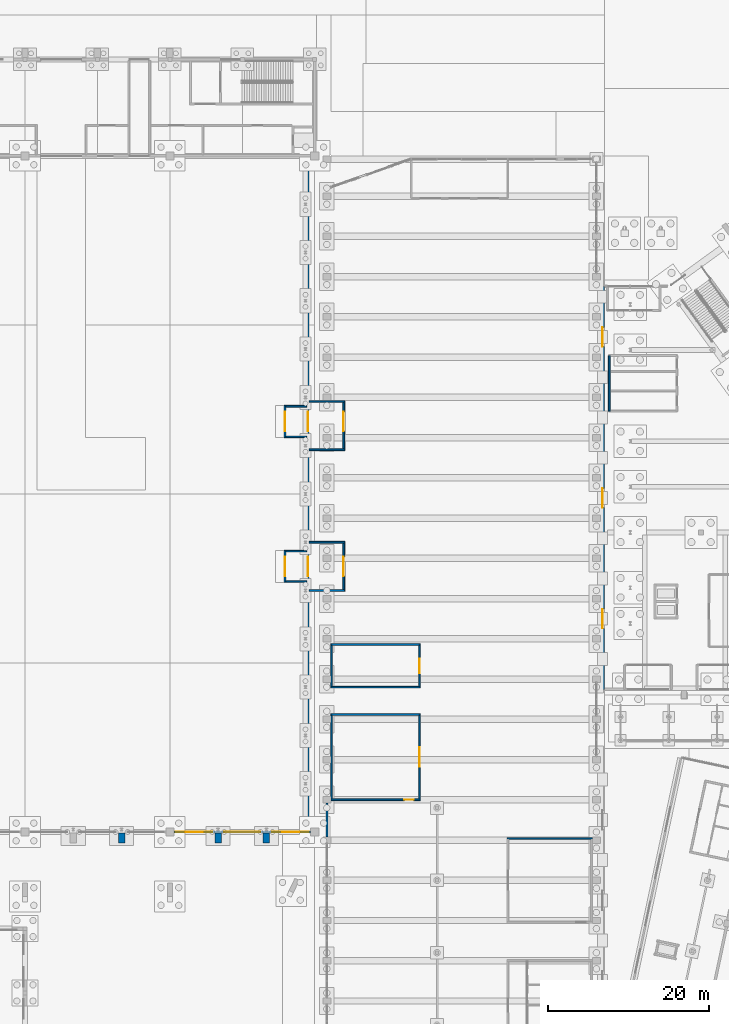
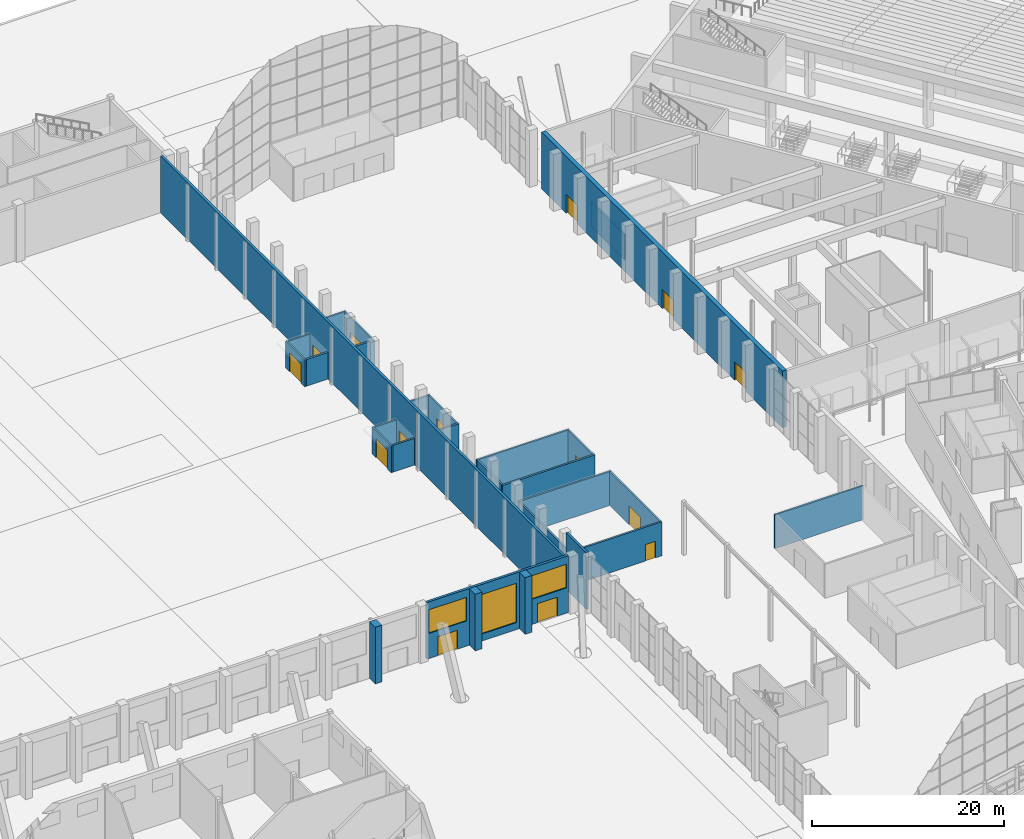
# One storey, part 181 of 239: 29 walls, 14 doors, 3 windows, 17 openings.
"""IFC4 building model written with IfcOpenShell, lengths in metres."""

from ifc_helpers import new_model, si_unit, direction, frame, frame_2d, origin, place, context, subcontext, project, spatial, rectangle, extrude, material, layer, layer_set, type_object, element, fill, save


model = new_model("IFC4")

# Units and contexts
model_context = context("Model", 3, precision=1e-05, world=origin(), true_north=direction((0.0, 1.0)))
body_context = subcontext(model_context, "Body", "Model", "MODEL_VIEW")
ifc_project = project(units=[si_unit("LENGTHUNIT", "METRE"), si_unit("AREAUNIT", "SQUARE_METRE"), si_unit("VOLUMEUNIT", "CUBIC_METRE"), si_unit("PLANEANGLEUNIT", "RADIAN"), si_unit("MASSUNIT", "GRAM", prefix="KILO")], contexts=[model_context])

# Site, building, storey
site_placement = place(None, origin())
site = spatial("IfcSite", under=ifc_project, at=site_placement, CompositionType="ELEMENT")
building_placement = place(site_placement, origin())
building = spatial("IfcBuilding", under=site, at=building_placement, Name="Okhra Congress Centre", CompositionType="ELEMENT")
storey_placement = place(building_placement, origin())
storey = spatial("IfcBuildingStorey", under=building, at=storey_placement, Name="L00", CompositionType="ELEMENT", Elevation=0.0)

# Walls
ifc_material_1 = material(Name="Concrete C35/45", Category="concrete")
ifc_layer_1 = layer(ifc_material_1, 0.800048828125)
ifc_layer_set_1 = layer_set([ifc_layer_1], Name="Buttress fin 800 REI 120 C35/45")
wall_type_1 = type_object("IfcWallType", Name="Buttress fin 800 REI 120 C35/45", PredefinedType="SOLIDWALL", material=ifc_layer_set_1)
for number, where, z_axis, x_axis, name in (
    (1, (130.0, 130.64990234375, 0.0), (0.0, 0.0, 1.0), (0.0, 1.0, 0.0), "EH.WALL.L00.19"),
    (2, (142.0, 130.64990234375, 0.0), (0.0, 0.0, 1.0), (0.0, 1.0, 0.0), "EH.WALL.L00.20"),
    (3, (148.0, 130.64990234375, 0.0), (0.0, 0.0, 1.0), (0.0, 1.0, 0.0), "EH.WALL.L00.21"),
):
    element("IfcWall", number, at=place(storey_placement, frame(where, z_axis=z_axis, x_axis=x_axis)), inside=storey, type_object=wall_type_1, Name=name, PredefinedType="SOLIDWALL", context=body_context, shape_type="SweptSolid", body=[
        extrude(rectangle(XDim=1.210205078125, YDim=0.800048828125, at=frame_2d((0.60498046875, 0.0))), origin(), (0.0, 0.0, 1.0), 7.199951171875),
    ])
ifc_material_2 = material(Name="Insulated metal sandwich panel (mineral wool core)")
ifc_layer_2 = layer(ifc_material_2, 0.25)
ifc_layer_set_2 = layer_set([ifc_layer_2], Name="Insulated infill wall 250")
wall_type_2 = type_object("IfcWallType", Name="Insulated infill wall 250", PredefinedType="SOLIDWALL", material=ifc_layer_set_2)
wall_1_placement = place(storey_placement, frame((155.5, 131.39990234375, 0.0), z_axis=(0.0, 0.0, 1.0), x_axis=(0.0, 1.0, 0.0)))
element("IfcWall", 4, at=wall_1_placement, inside=storey, type_object=wall_type_2, Name="West infill wall beside the exhibition hall", PredefinedType="SOLIDWALL", context=body_context, shape_type="SweptSolid", body=[
    extrude(rectangle(XDim=4.2001953125, YDim=0.25, at=frame_2d((2.10009765625, 0.0))), origin(), (0.0, 0.0, 1.0), 7.199951171875),
])

# Wall, openings, doors, windows
ifc_layer_3 = layer(ifc_material_2, 0.300048828125)
ifc_layer_set_3 = layer_set([ifc_layer_3], Name="Insulated wall panel 300")
wall_type_3 = type_object("IfcWallType", Name="Insulated wall panel 300", PredefinedType="SOLIDWALL", material=ifc_layer_set_3)
wall_2_placement = place(storey_placement, frame((136.5, 132.0, 0.0), z_axis=(0.0, 0.0, 1.0), x_axis=(1.0, 0.0, 0.0)))
wall_2 = element("IfcWall", 5, at=wall_2_placement, inside=storey, type_object=wall_type_3, Name="EH.WALL.L00.7", PredefinedType="SOLIDWALL", context=body_context, shape_type="SweptSolid", body=[
    extrude(rectangle(XDim=17.0, YDim=0.300048828125, at=frame_2d((8.5, 0.0))), origin(), (0.0, 0.0, 1.0), 7.199951171875),
])
opening_1_placement = place(wall_2_placement, frame((1.300048828125, 0.0, 0.0)))
opening_1 = element("IfcOpeningElement", 6, at=opening_1_placement, cuts=wall_2, Name="Opening L00-017", PredefinedType="OPENING", context=body_context, shape_type="SweptSolid", body=[
    extrude(rectangle(XDim=2.39990234375, YDim=2.39990234375, at=frame_2d((1.199951171875, 1.199951171875))), frame((0.0, 0.159912109375, 0.0), z_axis=(0.0, -1.0, 0.0), x_axis=(1.0, 0.0, 0.0)), (0.0, 0.0, 1.0), 0.320068359375),
])
opening_2_placement = place(wall_2_placement, frame((0.25, 0.0, 3.199951171875)))
opening_2 = element("IfcOpeningElement", 7, at=opening_2_placement, cuts=wall_2, Name="Opening WN1", PredefinedType="OPENING", context=body_context, shape_type="SweptSolid", body=[
    extrude(rectangle(XDim=4.5, YDim=3.0, at=frame_2d((2.25, 1.5))), frame((0.0, 0.159912109375, 0.0), z_axis=(0.0, -1.0, 0.0), x_axis=(1.0, 0.0, 0.0)), (0.0, 0.0, 1.0), 0.320068359375),
])
opening_3_placement = place(wall_2_placement, frame((6.25, 0.0, 0.89990234375)))
opening_3 = element("IfcOpeningElement", 8, at=opening_3_placement, cuts=wall_2, Name="Opening WN2", PredefinedType="OPENING", context=body_context, shape_type="SweptSolid", body=[
    extrude(rectangle(XDim=4.5, YDim=5.0, at=frame_2d((2.25, 2.5))), frame((0.0, 0.159912109375, 0.0), z_axis=(0.0, -1.0, 0.0), x_axis=(1.0, 0.0, 0.0)), (0.0, 0.0, 1.0), 0.320068359375),
])
opening_4_placement = place(wall_2_placement, frame((13.300048828125, 0.0, 0.0)))
opening_4 = element("IfcOpeningElement", 9, at=opening_4_placement, cuts=wall_2, Name="Opening L00-018", PredefinedType="OPENING", context=body_context, shape_type="SweptSolid", body=[
    extrude(rectangle(XDim=2.39990234375, YDim=2.39990234375, at=frame_2d((1.199951171875, 1.199951171875))), frame((0.0, 0.159912109375, 0.0), z_axis=(0.0, -1.0, 0.0), x_axis=(1.0, 0.0, 0.0)), (0.0, 0.0, 1.0), 0.320068359375),
])
opening_5_placement = place(wall_2_placement, frame((12.25, 0.0, 3.199951171875)))
opening_5 = element("IfcOpeningElement", 10, at=opening_5_placement, cuts=wall_2, Name="Opening WN1", PredefinedType="OPENING", context=body_context, shape_type="SweptSolid", body=[
    extrude(rectangle(XDim=4.5, YDim=3.0, at=frame_2d((2.25, 1.5))), frame((0.0, 0.159912109375, 0.0), z_axis=(0.0, -1.0, 0.0), x_axis=(1.0, 0.0, 0.0)), (0.0, 0.0, 1.0), 0.320068359375),
])
ifc_material_3 = material(Name="Timber door leaves in steel frame", Category="steel")
door_type_1 = type_object("IfcDoorType", Name="Double swing door 2400x2400", OperationType="NOTDEFINED", PredefinedType="DOOR", material=ifc_material_3)
door_1_placement = place(opening_1_placement, frame((2.39990234375, 0.0, 0.0), z_axis=(0.0, 0.0, 1.0), x_axis=(-1.0, 0.0, 0.0)))
door_1 = element("IfcDoor", 11, at=door_1_placement, inside=storey, type_object=door_type_1, Name="Door L00-017", OperationType="DOUBLE_DOOR_SINGLE_SWING", OverallHeight=2.39990234375, OverallWidth=2.39990234375, PredefinedType="DOOR", context=body_context, shape_type="SweptSolid", body=[
    extrude(rectangle(XDim=2.39990234375, YDim=2.39990234375, at=frame_2d((1.199951171875, 1.199951171875))), frame((0.0, 0.02490234375, 0.0), z_axis=(0.0, -1.0, 0.0), x_axis=(1.0, 0.0, 0.0)), (0.0, 0.0, 1.0), 0.050048828125),
])
fill(opening_1, door_1)
door_2_placement = place(opening_4_placement, frame((2.39990234375, 0.0, 0.0), z_axis=(0.0, 0.0, 1.0), x_axis=(-1.0, 0.0, 0.0)))
door_2 = element("IfcDoor", 12, at=door_2_placement, inside=storey, type_object=door_type_1, Name="Door L00-018", OperationType="DOUBLE_DOOR_SINGLE_SWING", OverallHeight=2.39990234375, OverallWidth=2.39990234375, PredefinedType="DOOR", context=body_context, shape_type="SweptSolid", body=[
    extrude(rectangle(XDim=2.39990234375, YDim=2.39990234375, at=frame_2d((1.199951171875, 1.199951171875))), frame((0.0, 0.02490234375, 0.0), z_axis=(0.0, -1.0, 0.0), x_axis=(1.0, 0.0, 0.0)), (0.0, 0.0, 1.0), 0.050048828125),
])
fill(opening_4, door_2)
ifc_material_4 = material(Name="Thermally broken aluminium frame, triple glazing", Category="aluminium")
window_type_1 = type_object("IfcWindowType", Name="Fixed window 4500x3000", PartitioningType="SINGLE_PANEL", PredefinedType="WINDOW", material=ifc_material_4)
window_1_placement = place(opening_2_placement, origin())
window_1 = element("IfcWindow", 13, at=window_1_placement, inside=storey, type_object=window_type_1, Name="EH.WIN.L00.19", OverallHeight=3.0, OverallWidth=4.5, PartitioningType="SINGLE_PANEL", PredefinedType="WINDOW", context=body_context, shape_type="SweptSolid", body=[
    extrude(rectangle(XDim=4.5, YDim=3.0, at=frame_2d((2.25, 1.5))), frame((0.0, 0.030029296875, 0.0), z_axis=(0.0, -1.0, 0.0), x_axis=(1.0, 0.0, 0.0)), (0.0, 0.0, 1.0), 0.06005859375),
])
fill(opening_2, window_1)
window_2_placement = place(opening_5_placement, origin())
window_2 = element("IfcWindow", 14, at=window_2_placement, inside=storey, type_object=window_type_1, Name="EH.WIN.L00.21", OverallHeight=3.0, OverallWidth=4.5, PartitioningType="SINGLE_PANEL", PredefinedType="WINDOW", context=body_context, shape_type="SweptSolid", body=[
    extrude(rectangle(XDim=4.5, YDim=3.0, at=frame_2d((2.25, 1.5))), frame((0.0, 0.030029296875, 0.0), z_axis=(0.0, -1.0, 0.0), x_axis=(1.0, 0.0, 0.0)), (0.0, 0.0, 1.0), 0.06005859375),
])
fill(opening_5, window_2)
window_type_2 = type_object("IfcWindowType", Name="Fixed window 4500x5000", PartitioningType="SINGLE_PANEL", PredefinedType="WINDOW", material=ifc_material_4)
window_3_placement = place(opening_3_placement, origin())
window_3 = element("IfcWindow", 15, at=window_3_placement, inside=storey, type_object=window_type_2, Name="EH.WIN.L00.20", OverallHeight=5.0, OverallWidth=4.5, PartitioningType="SINGLE_PANEL", PredefinedType="WINDOW", context=body_context, shape_type="SweptSolid", body=[
    extrude(rectangle(XDim=4.5, YDim=5.0, at=frame_2d((2.25, 2.5))), frame((0.0, 0.030029296875, 0.0), z_axis=(0.0, -1.0, 0.0), x_axis=(1.0, 0.0, 0.0)), (0.0, 0.0, 1.0), 0.06005859375),
])
fill(opening_3, window_3)

# Wall, openings, doors
ifc_material_5 = material(Name="Concrete C30/37", Category="concrete")
ifc_layer_4 = layer(ifc_material_5, 0.300048828125)
ifc_layer_set_4 = layer_set([ifc_layer_4], Name="RC fire wall 300 REI 150 C30/37")
wall_type_4 = type_object("IfcWallType", Name="RC fire wall 300 REI 150 C30/37", PredefinedType="SOLIDWALL", material=ifc_layer_set_4)
wall_3_placement = place(storey_placement, frame((153.14990234375, 132.14990234375, 0.0), z_axis=(0.0, 0.0, 1.0), x_axis=(0.0, 1.0, 0.0)))
wall_3 = element("IfcWall", 16, at=wall_3_placement, inside=storey, type_object=wall_type_4, Name="EH.WALL.L00.30", PredefinedType="SOLIDWALL", context=body_context, shape_type="SweptSolid", body=[
    extrude(rectangle(XDim=83.7001953125, YDim=0.300048828125, at=frame_2d((41.85009765625, 0.0))), origin(), (0.0, 0.0, 1.0), 7.199951171875),
])
opening_6_placement = place(wall_3_placement, frame((31.64990234375, 0.0, 0.0)))
opening_6 = element("IfcOpeningElement", 17, at=opening_6_placement, cuts=wall_3, Name="Opening L00-040", PredefinedType="OPENING", context=body_context, shape_type="SweptSolid", body=[
    extrude(rectangle(XDim=2.39990234375, YDim=2.39990234375, at=frame_2d((1.199951171875, 1.199951171875))), frame((0.0, 0.159912109375, 0.0), z_axis=(0.0, -1.0, 0.0), x_axis=(1.0, 0.0, 0.0)), (0.0, 0.0, 1.0), 0.320068359375),
])
opening_7_placement = place(wall_3_placement, frame((49.64990234375, 0.0, 0.0)))
opening_7 = element("IfcOpeningElement", 18, at=opening_7_placement, cuts=wall_3, Name="Opening L00-041", PredefinedType="OPENING", context=body_context, shape_type="SweptSolid", body=[
    extrude(rectangle(XDim=2.39990234375, YDim=2.39990234375, at=frame_2d((1.199951171875, 1.199951171875))), frame((0.0, 0.159912109375, 0.0), z_axis=(0.0, -1.0, 0.0), x_axis=(1.0, 0.0, 0.0)), (0.0, 0.0, 1.0), 0.320068359375),
])
ifc_material_6 = material(Name="Steel fire door leaves in steel frame, intumescent seals", Category="steel")
door_type_2 = type_object("IfcDoorType", Name="Steel fire door pair 2400x2400 EI 60", OperationType="NOTDEFINED", PredefinedType="DOOR", material=ifc_material_6)
door_3_placement = place(opening_6_placement, frame((2.39990234375, 0.0, 0.0), z_axis=(0.0, 0.0, 1.0), x_axis=(-1.0, 0.0, 0.0)))
door_3 = element("IfcDoor", 19, at=door_3_placement, inside=storey, type_object=door_type_2, Name="Door L00-040", OperationType="DOUBLE_DOOR_SINGLE_SWING", OverallHeight=2.39990234375, OverallWidth=2.39990234375, PredefinedType="DOOR", context=body_context, shape_type="SweptSolid", body=[
    extrude(rectangle(XDim=2.39990234375, YDim=2.39990234375, at=frame_2d((1.199951171875, 1.199951171875))), frame((0.0, 0.02490234375, 0.0), z_axis=(0.0, -1.0, 0.0), x_axis=(1.0, 0.0, 0.0)), (0.0, 0.0, 1.0), 0.050048828125),
])
fill(opening_6, door_3)
door_4_placement = place(opening_7_placement, frame((2.39990234375, 0.0, 0.0), z_axis=(0.0, 0.0, 1.0), x_axis=(-1.0, 0.0, 0.0)))
door_4 = element("IfcDoor", 20, at=door_4_placement, inside=storey, type_object=door_type_2, Name="Door L00-041", OperationType="DOUBLE_DOOR_SINGLE_SWING", OverallHeight=2.39990234375, OverallWidth=2.39990234375, PredefinedType="DOOR", context=body_context, shape_type="SweptSolid", body=[
    extrude(rectangle(XDim=2.39990234375, YDim=2.39990234375, at=frame_2d((1.199951171875, 1.199951171875))), frame((0.0, 0.02490234375, 0.0), z_axis=(0.0, -1.0, 0.0), x_axis=(1.0, 0.0, 0.0)), (0.0, 0.0, 1.0), 0.050048828125),
])
fill(opening_7, door_4)

ifc_layer_5 = layer(ifc_material_5, 0.5)
ifc_layer_set_5 = layer_set([ifc_layer_5], Name="RC fire wall 500 REI 150 C30/37")
wall_type_5 = type_object("IfcWallType", Name="RC fire wall 500 REI 150 C30/37", PredefinedType="SOLIDWALL", material=ifc_layer_set_5)
wall_4_placement = place(storey_placement, frame((189.75, 149.719970703125, 0.0), z_axis=(0.0, 0.0, 1.0), x_axis=(0.0, 1.0, 0.0)))
wall_4 = element("IfcWall", 21, at=wall_4_placement, inside=storey, type_object=wall_type_5, Name="Fire wall to the plenary hall foyer", PredefinedType="SOLIDWALL", context=body_context, shape_type="SweptSolid", body=[
    extrude(rectangle(XDim=50.080078125, YDim=0.5, at=frame_2d((25.0400390625, 0.0))), origin(), (0.0, 0.0, 1.0), 7.199951171875),
])
opening_8_placement = place(wall_4_placement, frame((7.580078125, 0.0, 0.0)))
opening_8 = element("IfcOpeningElement", 22, at=opening_8_placement, cuts=wall_4, Name="Opening L00-088", PredefinedType="OPENING", context=body_context, shape_type="SweptSolid", body=[
    extrude(rectangle(XDim=2.39990234375, YDim=2.39990234375, at=frame_2d((1.199951171875, 1.199951171875))), frame((0.0, 0.260009765625, 0.0), z_axis=(0.0, -1.0, 0.0), x_axis=(1.0, 0.0, 0.0)), (0.0, 0.0, 1.0), 0.52001953125),
])
opening_9_placement = place(wall_4_placement, frame((22.580078125, 0.0, 0.0)))
opening_9 = element("IfcOpeningElement", 23, at=opening_9_placement, cuts=wall_4, Name="Opening L00-089", PredefinedType="OPENING", context=body_context, shape_type="SweptSolid", body=[
    extrude(rectangle(XDim=2.39990234375, YDim=2.39990234375, at=frame_2d((1.199951171875, 1.199951171875))), frame((0.0, 0.260009765625, 0.0), z_axis=(0.0, -1.0, 0.0), x_axis=(1.0, 0.0, 0.0)), (0.0, 0.0, 1.0), 0.52001953125),
])
opening_10_placement = place(wall_4_placement, frame((42.580078125, 0.0, 0.0)))
opening_10 = element("IfcOpeningElement", 24, at=opening_10_placement, cuts=wall_4, Name="Opening L00-090", PredefinedType="OPENING", context=body_context, shape_type="SweptSolid", body=[
    extrude(rectangle(XDim=2.39990234375, YDim=2.39990234375, at=frame_2d((1.199951171875, 1.199951171875))), frame((0.0, 0.260009765625, 0.0), z_axis=(0.0, -1.0, 0.0), x_axis=(1.0, 0.0, 0.0)), (0.0, 0.0, 1.0), 0.52001953125),
])
door_5_placement = place(opening_8_placement, origin())
door_5 = element("IfcDoor", 25, at=door_5_placement, inside=storey, type_object=door_type_2, Name="Fire doors to the plenary hall foyer", OperationType="DOUBLE_DOOR_SINGLE_SWING", OverallHeight=2.39990234375, OverallWidth=2.39990234375, PredefinedType="DOOR", context=body_context, shape_type="SweptSolid", body=[
    extrude(rectangle(XDim=2.39990234375, YDim=2.39990234375, at=frame_2d((1.199951171875, 1.199951171875))), frame((0.0, 0.02490234375, 0.0), z_axis=(0.0, -1.0, 0.0), x_axis=(1.0, 0.0, 0.0)), (0.0, 0.0, 1.0), 0.050048828125),
])
fill(opening_8, door_5)
door_6_placement = place(opening_9_placement, origin())
door_6 = element("IfcDoor", 26, at=door_6_placement, inside=storey, type_object=door_type_2, Name="Fire doors to the plenary hall foyer", OperationType="DOUBLE_DOOR_SINGLE_SWING", OverallHeight=2.39990234375, OverallWidth=2.39990234375, PredefinedType="DOOR", context=body_context, shape_type="SweptSolid", body=[
    extrude(rectangle(XDim=2.39990234375, YDim=2.39990234375, at=frame_2d((1.199951171875, 1.199951171875))), frame((0.0, 0.02490234375, 0.0), z_axis=(0.0, -1.0, 0.0), x_axis=(1.0, 0.0, 0.0)), (0.0, 0.0, 1.0), 0.050048828125),
])
fill(opening_9, door_6)
door_7_placement = place(opening_10_placement, origin())
door_7 = element("IfcDoor", 27, at=door_7_placement, inside=storey, type_object=door_type_2, Name="Fire doors to the plenary hall foyer", OperationType="DOUBLE_DOOR_SINGLE_SWING", OverallHeight=2.39990234375, OverallWidth=2.39990234375, PredefinedType="DOOR", context=body_context, shape_type="SweptSolid", body=[
    extrude(rectangle(XDim=2.39990234375, YDim=2.39990234375, at=frame_2d((1.199951171875, 1.199951171875))), frame((0.0, 0.02490234375, 0.0), z_axis=(0.0, -1.0, 0.0), x_axis=(1.0, 0.0, 0.0)), (0.0, 0.0, 1.0), 0.050048828125),
])
fill(opening_10, door_7)

# Wall, opening, door
ifc_layer_6 = layer(ifc_material_5, 0.199951171875)
ifc_layer_set_6 = layer_set([ifc_layer_6], Name="RC wall 200 C30/37")
wall_type_6 = type_object("IfcWallType", Name="RC wall 200 C30/37", PredefinedType="SOLIDWALL", material=ifc_layer_set_6)
wall_5_placement = place(storey_placement, frame((150.300048828125, 163.0, 0.0), z_axis=(0.0, 0.0, 1.0), x_axis=(0.0, 1.0, 0.0)))
wall_5 = element("IfcWall", 28, at=wall_5_placement, inside=storey, type_object=wall_type_6, Name="EH.WALL.L00.31", PredefinedType="SOLIDWALL", context=body_context, shape_type="SweptSolid", body=[
    extrude(rectangle(XDim=4.0, YDim=0.199951171875, at=frame_2d((2.0, 0.0))), origin(), (0.0, 0.0, 1.0), 3.39990234375),
])
opening_11_placement = place(wall_5_placement, frame((0.800048828125, 0.0, 0.0)))
opening_11 = element("IfcOpeningElement", 29, at=opening_11_placement, cuts=wall_5, Name="Opening L00-042", PredefinedType="OPENING", context=body_context, shape_type="SweptSolid", body=[
    extrude(rectangle(XDim=2.39990234375, YDim=2.39990234375, at=frame_2d((1.199951171875, 1.199951171875))), frame((0.0, 0.10986328125, 0.0), z_axis=(0.0, -1.0, 0.0), x_axis=(1.0, 0.0, 0.0)), (0.0, 0.0, 1.0), 0.219970703125),
])
ifc_material_7 = material(Name="Aluminium-framed toughened glass door leaves", Category="aluminium")
door_type_3 = type_object("IfcDoorType", Name="Aluminium glazed door pair 2400x2400", OperationType="NOTDEFINED", PredefinedType="DOOR", material=ifc_material_7)
door_8_placement = place(opening_11_placement, frame((2.39990234375, 0.0, 0.0), z_axis=(0.0, 0.0, 1.0), x_axis=(-1.0, 0.0, 0.0)))
door_8 = element("IfcDoor", 30, at=door_8_placement, inside=storey, type_object=door_type_3, Name="Door L00-042", OperationType="DOUBLE_DOOR_SINGLE_SWING", OverallHeight=2.39990234375, OverallWidth=2.39990234375, PredefinedType="DOOR", context=body_context, shape_type="SweptSolid", body=[
    extrude(rectangle(XDim=2.39990234375, YDim=2.39990234375, at=frame_2d((1.199951171875, 1.199951171875))), frame((0.0, 0.02490234375, 0.0), z_axis=(0.0, -1.0, 0.0), x_axis=(1.0, 0.0, 0.0)), (0.0, 0.0, 1.0), 0.050048828125),
])
fill(opening_11, door_8)

# Walls
for number, where, z_axis, x_axis, name in (
    (31, (150.39990234375, 163.10009765625, 0.0), (0.0, 0.0, 1.0), (1.0, 0.0, 0.0), "EH.WALL.L00.32"),
    (32, (150.39990234375, 166.89990234375, 0.0), (0.0, 0.0, 1.0), (1.0, 0.0, 0.0), "EH.WALL.L00.33"),
):
    element("IfcWall", number, at=place(storey_placement, frame(where, z_axis=z_axis, x_axis=x_axis)), inside=storey, type_object=wall_type_6, Name=name, PredefinedType="SOLIDWALL", context=body_context, shape_type="SweptSolid", body=[
        extrude(rectangle(XDim=2.60009765625, YDim=0.199951171875, at=frame_2d((1.300048828125, 0.0))), origin(), (0.0, 0.0, 1.0), 3.39990234375),
    ])

# Wall, opening, door
wall_6_placement = place(storey_placement, frame((150.300048828125, 181.0, 0.0), z_axis=(0.0, 0.0, 1.0), x_axis=(0.0, 1.0, 0.0)))
wall_6 = element("IfcWall", 33, at=wall_6_placement, inside=storey, type_object=wall_type_6, Name="EH.WALL.L00.34", PredefinedType="SOLIDWALL", context=body_context, shape_type="SweptSolid", body=[
    extrude(rectangle(XDim=4.0, YDim=0.199951171875, at=frame_2d((2.0, 0.0))), origin(), (0.0, 0.0, 1.0), 3.39990234375),
])
opening_12_placement = place(wall_6_placement, frame((0.800048828125, 0.0, 0.0)))
opening_12 = element("IfcOpeningElement", 34, at=opening_12_placement, cuts=wall_6, Name="Opening L00-043", PredefinedType="OPENING", context=body_context, shape_type="SweptSolid", body=[
    extrude(rectangle(XDim=2.39990234375, YDim=2.39990234375, at=frame_2d((1.199951171875, 1.199951171875))), frame((0.0, 0.10986328125, 0.0), z_axis=(0.0, -1.0, 0.0), x_axis=(1.0, 0.0, 0.0)), (0.0, 0.0, 1.0), 0.219970703125),
])
door_9_placement = place(opening_12_placement, frame((2.39990234375, 0.0, 0.0), z_axis=(0.0, 0.0, 1.0), x_axis=(-1.0, 0.0, 0.0)))
door_9 = element("IfcDoor", 35, at=door_9_placement, inside=storey, type_object=door_type_3, Name="Door L00-043", OperationType="DOUBLE_DOOR_SINGLE_SWING", OverallHeight=2.39990234375, OverallWidth=2.39990234375, PredefinedType="DOOR", context=body_context, shape_type="SweptSolid", body=[
    extrude(rectangle(XDim=2.39990234375, YDim=2.39990234375, at=frame_2d((1.199951171875, 1.199951171875))), frame((0.0, 0.02490234375, 0.0), z_axis=(0.0, -1.0, 0.0), x_axis=(1.0, 0.0, 0.0)), (0.0, 0.0, 1.0), 0.050048828125),
])
fill(opening_12, door_9)

# Walls
for number, where, z_axis, x_axis, name in (
    (36, (150.39990234375, 181.10009765625, 0.0), (0.0, 0.0, 1.0), (1.0, 0.0, 0.0), "EH.WALL.L00.35"),
    (37, (150.39990234375, 184.89990234375, 0.0), (0.0, 0.0, 1.0), (1.0, 0.0, 0.0), "EH.WALL.L00.36"),
):
    element("IfcWall", number, at=place(storey_placement, frame(where, z_axis=z_axis, x_axis=x_axis)), inside=storey, type_object=wall_type_6, Name=name, PredefinedType="SOLIDWALL", context=body_context, shape_type="SweptSolid", body=[
        extrude(rectangle(XDim=2.60009765625, YDim=0.199951171875, at=frame_2d((1.300048828125, 0.0))), origin(), (0.0, 0.0, 1.0), 3.39990234375),
    ])
wall_7_placement = place(storey_placement, frame((190.60009765625, 184.300048828125, 0.0), z_axis=(0.0, 0.0, 1.0), x_axis=(0.0, 1.0, 0.0)))
element("IfcWall", 38, at=wall_7_placement, inside=storey, type_object=wall_type_6, Name="WC block west wall", PredefinedType="SOLIDWALL", context=body_context, shape_type="SweptSolid", body=[
    extrude(rectangle(XDim=6.89990234375, YDim=0.199951171875, at=frame_2d((3.449951171875, 0.0))), origin(), (0.0, 0.0, 1.0), 3.199951171875),
])
ifc_layer_7 = layer(ifc_material_5, 0.199951171875)
ifc_layer_set_7 = layer_set([ifc_layer_7], Name="RC wall 200 REI 120 C30/37")
wall_type_7 = type_object("IfcWallType", Name="RC wall 200 REI 120 C30/37", PredefinedType="SOLIDWALL", material=ifc_layer_set_7)
for number, where, z_axis, x_axis, name in (
    (39, (153.300048828125, 162.0, 0.0), (0.0, 0.0, 1.0), (1.0, 0.0, 0.0), "Exhibition hall air lock 1 south wall"),
    (40, (153.300048828125, 168.0, 0.0), (0.0, 0.0, 1.0), (1.0, 0.0, 0.0), "Exhibition hall air lock 1 north wall"),
):
    element("IfcWall", number, at=place(storey_placement, frame(where, z_axis=z_axis, x_axis=x_axis)), inside=storey, type_object=wall_type_7, Name=name, PredefinedType="SOLIDWALL", context=body_context, shape_type="SweptSolid", body=[
        extrude(rectangle(XDim=4.39990234375, YDim=0.199951171875, at=frame_2d((2.199951171875, 0.0))), origin(), (0.0, 0.0, 1.0), 4.300048828125),
    ])

# Wall, opening, door
wall_8_placement = place(storey_placement, frame((157.60009765625, 162.10009765625, 0.0), z_axis=(0.0, 0.0, 1.0), x_axis=(0.0, 1.0, 0.0)))
wall_8 = element("IfcWall", 41, at=wall_8_placement, inside=storey, type_object=wall_type_7, Name="Exhibition hall air lock 1 inner wall", PredefinedType="SOLIDWALL", context=body_context, shape_type="SweptSolid", body=[
    extrude(rectangle(XDim=5.7998046875, YDim=0.199951171875, at=frame_2d((2.89990234375, 0.0))), origin(), (0.0, 0.0, 1.0), 4.300048828125),
])
opening_13_placement = place(wall_8_placement, frame((1.699951171875, 0.0, 0.0)))
opening_13 = element("IfcOpeningElement", 42, at=opening_13_placement, cuts=wall_8, Name="Opening L00-091", PredefinedType="OPENING", context=body_context, shape_type="SweptSolid", body=[
    extrude(rectangle(XDim=2.39990234375, YDim=2.39990234375, at=frame_2d((1.199951171875, 1.199951171875))), frame((0.0, 0.10986328125, 0.0), z_axis=(0.0, -1.0, 0.0), x_axis=(1.0, 0.0, 0.0)), (0.0, 0.0, 1.0), 0.219970703125),
])
door_10_placement = place(opening_13_placement, frame((2.39990234375, 0.0, 0.0), z_axis=(0.0, 0.0, 1.0), x_axis=(-1.0, 0.0, 0.0)))
door_10 = element("IfcDoor", 43, at=door_10_placement, inside=storey, type_object=door_type_2, Name="Exhibition hall air lock 1 inner fire doors", OperationType="DOUBLE_DOOR_SINGLE_SWING", OverallHeight=2.39990234375, OverallWidth=2.39990234375, PredefinedType="DOOR", context=body_context, shape_type="SweptSolid", body=[
    extrude(rectangle(XDim=2.39990234375, YDim=2.39990234375, at=frame_2d((1.199951171875, 1.199951171875))), frame((0.0, 0.02490234375, 0.0), z_axis=(0.0, -1.0, 0.0), x_axis=(1.0, 0.0, 0.0)), (0.0, 0.0, 1.0), 0.050048828125),
])
fill(opening_13, door_10)

# Walls
for number, where, z_axis, x_axis, name in (
    (44, (153.300048828125, 179.5, 0.0), (0.0, 0.0, 1.0), (1.0, 0.0, 0.0), "Exhibition hall air lock 2 south wall"),
    (45, (153.300048828125, 185.5, 0.0), (0.0, 0.0, 1.0), (1.0, 0.0, 0.0), "Exhibition hall air lock 2 north wall"),
):
    element("IfcWall", number, at=place(storey_placement, frame(where, z_axis=z_axis, x_axis=x_axis)), inside=storey, type_object=wall_type_7, Name=name, PredefinedType="SOLIDWALL", context=body_context, shape_type="SweptSolid", body=[
        extrude(rectangle(XDim=4.39990234375, YDim=0.199951171875, at=frame_2d((2.199951171875, 0.0))), origin(), (0.0, 0.0, 1.0), 4.300048828125),
    ])

# Wall, opening, door
wall_9_placement = place(storey_placement, frame((157.60009765625, 179.60009765625, 0.0), z_axis=(0.0, 0.0, 1.0), x_axis=(0.0, 1.0, 0.0)))
wall_9 = element("IfcWall", 46, at=wall_9_placement, inside=storey, type_object=wall_type_7, Name="Exhibition hall air lock 2 inner wall", PredefinedType="SOLIDWALL", context=body_context, shape_type="SweptSolid", body=[
    extrude(rectangle(XDim=5.7998046875, YDim=0.199951171875, at=frame_2d((2.89990234375, 0.0))), origin(), (0.0, 0.0, 1.0), 4.300048828125),
])
opening_14_placement = place(wall_9_placement, frame((2.199951171875, 0.0, 0.0)))
opening_14 = element("IfcOpeningElement", 47, at=opening_14_placement, cuts=wall_9, Name="Opening L00-092", PredefinedType="OPENING", context=body_context, shape_type="SweptSolid", body=[
    extrude(rectangle(XDim=2.39990234375, YDim=2.39990234375, at=frame_2d((1.199951171875, 1.199951171875))), frame((0.0, 0.10986328125, 0.0), z_axis=(0.0, -1.0, 0.0), x_axis=(1.0, 0.0, 0.0)), (0.0, 0.0, 1.0), 0.219970703125),
])
door_11_placement = place(opening_14_placement, frame((2.39990234375, 0.0, 0.0), z_axis=(0.0, 0.0, 1.0), x_axis=(-1.0, 0.0, 0.0)))
door_11 = element("IfcDoor", 48, at=door_11_placement, inside=storey, type_object=door_type_2, Name="Exhibition hall air lock 2 inner fire doors", OperationType="DOUBLE_DOOR_SINGLE_SWING", OverallHeight=2.39990234375, OverallWidth=2.39990234375, PredefinedType="DOOR", context=body_context, shape_type="SweptSolid", body=[
    extrude(rectangle(XDim=2.39990234375, YDim=2.39990234375, at=frame_2d((1.199951171875, 1.199951171875))), frame((0.0, 0.02490234375, 0.0), z_axis=(0.0, -1.0, 0.0), x_axis=(1.0, 0.0, 0.0)), (0.0, 0.0, 1.0), 0.050048828125),
])
fill(opening_14, door_11)

# Wall
wall_10_placement = place(storey_placement, frame((177.89990234375, 131.199951171875, 0.0), z_axis=(0.0, 0.0, 1.0), x_axis=(1.0, 0.0, 0.0)))
element("IfcWall", 49, at=wall_10_placement, inside=storey, type_object=wall_type_7, Name="Cafe east north wall", PredefinedType="SOLIDWALL", context=body_context, shape_type="SweptSolid", body=[
    extrude(rectangle(XDim=10.60009765625, YDim=0.199951171875, at=frame_2d((5.300048828125, 0.0))), origin(), (0.0, 0.0, 1.0), 4.300048828125),
])

# Wall, opening, door
wall_11_placement = place(storey_placement, frame((156.0, 136.0, 0.0), z_axis=(0.0, 0.0, 1.0), x_axis=(1.0, 0.0, 0.0)))
wall_11 = element("IfcWall", 50, at=wall_11_placement, inside=storey, type_object=wall_type_7, Name="Cafe west south wall", PredefinedType="SOLIDWALL", context=body_context, shape_type="SweptSolid", body=[
    extrude(rectangle(XDim=11.10009765625, YDim=0.199951171875, at=frame_2d((5.550048828125, 0.0))), origin(), (0.0, 0.0, 1.0), 4.300048828125),
])
opening_15_placement = place(wall_11_placement, frame((9.10009765625, 0.0, 0.0)))
opening_15 = element("IfcOpeningElement", 51, at=opening_15_placement, cuts=wall_11, Name="Opening L00-100", PredefinedType="OPENING", context=body_context, shape_type="SweptSolid", body=[
    extrude(rectangle(XDim=1.199951171875, YDim=2.10009765625, at=frame_2d((0.60009765625, 1.050048828125))), frame((0.0, 0.10986328125, 0.0), z_axis=(0.0, -1.0, 0.0), x_axis=(1.0, 0.0, 0.0)), (0.0, 0.0, 1.0), 0.219970703125),
])
ifc_material_8 = material(Name="Timber door leaf in steel frame", Category="steel")
door_type_4 = type_object("IfcDoorType", Name="Single swing door 1200x2100", OperationType="NOTDEFINED", PredefinedType="DOOR", material=ifc_material_8)
door_12_placement = place(opening_15_placement, frame((1.199951171875, 0.0, 0.0), z_axis=(0.0, 0.0, 1.0), x_axis=(-1.0, 0.0, 0.0)))
door_12 = element("IfcDoor", 52, at=door_12_placement, inside=storey, type_object=door_type_4, Name="Winter Garden Cafe 2 staff door", OperationType="SINGLE_SWING_LEFT", OverallHeight=2.10009765625, OverallWidth=1.199951171875, PredefinedType="DOOR", context=body_context, shape_type="SweptSolid", body=[
    extrude(rectangle(XDim=1.199951171875, YDim=2.10009765625, at=frame_2d((0.60009765625, 1.050048828125))), frame((0.0, 0.02490234375, 0.0), z_axis=(0.0, -1.0, 0.0), x_axis=(1.0, 0.0, 0.0)), (0.0, 0.0, 1.0), 0.050048828125),
])
fill(opening_15, door_12)

# Walls
wall_12_placement = place(storey_placement, frame((156.0, 146.60009765625, 0.0), z_axis=(0.0, 0.0, 1.0), x_axis=(1.0, 0.0, 0.0)))
element("IfcWall", 53, at=wall_12_placement, inside=storey, type_object=wall_type_7, Name="Cafe west north wall", PredefinedType="SOLIDWALL", context=body_context, shape_type="SweptSolid", body=[
    extrude(rectangle(XDim=11.10009765625, YDim=0.199951171875, at=frame_2d((5.550048828125, 0.0))), origin(), (0.0, 0.0, 1.0), 4.300048828125),
])
wall_13_placement = place(storey_placement, frame((156.10009765625, 136.10009765625, 0.0), z_axis=(0.0, 0.0, 1.0), x_axis=(0.0, 1.0, 0.0)))
element("IfcWall", 54, at=wall_13_placement, inside=storey, type_object=wall_type_7, Name="Cafe west west wall", PredefinedType="SOLIDWALL", context=body_context, shape_type="SweptSolid", body=[
    extrude(rectangle(XDim=10.39990234375, YDim=0.199951171875, at=frame_2d((5.199951171875, 0.0))), origin(), (0.0, 0.0, 1.0), 4.300048828125),
])

# Wall, opening, door
wall_14_placement = place(storey_placement, frame((167.0, 136.10009765625, 0.0), z_axis=(0.0, 0.0, 1.0), x_axis=(0.0, 1.0, 0.0)))
wall_14 = element("IfcWall", 55, at=wall_14_placement, inside=storey, type_object=wall_type_7, Name="Cafe west east wall", PredefinedType="SOLIDWALL", context=body_context, shape_type="SweptSolid", body=[
    extrude(rectangle(XDim=10.39990234375, YDim=0.199951171875, at=frame_2d((5.199951171875, 0.0))), origin(), (0.0, 0.0, 1.0), 4.300048828125),
])
opening_16_placement = place(wall_14_placement, frame((4.0, 0.0, 0.0)))
opening_16 = element("IfcOpeningElement", 56, at=opening_16_placement, cuts=wall_14, Name="Opening L00-099", PredefinedType="OPENING", context=body_context, shape_type="SweptSolid", body=[
    extrude(rectangle(XDim=2.39990234375, YDim=2.39990234375, at=frame_2d((1.199951171875, 1.199951171875))), frame((0.0, 0.10986328125, 0.0), z_axis=(0.0, -1.0, 0.0), x_axis=(1.0, 0.0, 0.0)), (0.0, 0.0, 1.0), 0.219970703125),
])
door_13_placement = place(opening_16_placement, frame((2.39990234375, 0.0, 0.0), z_axis=(0.0, 0.0, 1.0), x_axis=(-1.0, 0.0, 0.0)))
door_13 = element("IfcDoor", 57, at=door_13_placement, inside=storey, type_object=door_type_3, Name="Winter Garden Cafe 2 entrance", OperationType="DOUBLE_DOOR_SINGLE_SWING", OverallHeight=2.39990234375, OverallWidth=2.39990234375, PredefinedType="DOOR", context=body_context, shape_type="SweptSolid", body=[
    extrude(rectangle(XDim=2.39990234375, YDim=2.39990234375, at=frame_2d((1.199951171875, 1.199951171875))), frame((0.0, 0.02490234375, 0.0), z_axis=(0.0, -1.0, 0.0), x_axis=(1.0, 0.0, 0.0)), (0.0, 0.0, 1.0), 0.050048828125),
])
fill(opening_16, door_13)

# Walls
for number, where, z_axis, x_axis, name in (
    (58, (156.0, 150.0, 0.0), (0.0, 0.0, 1.0), (1.0, 0.0, 0.0), "Information room south wall"),
    (59, (156.0, 155.300048828125, 0.0), (0.0, 0.0, 1.0), (1.0, 0.0, 0.0), "Information room north wall"),
):
    element("IfcWall", number, at=place(storey_placement, frame(where, z_axis=z_axis, x_axis=x_axis)), inside=storey, type_object=wall_type_7, Name=name, PredefinedType="SOLIDWALL", context=body_context, shape_type="SweptSolid", body=[
        extrude(rectangle(XDim=11.10009765625, YDim=0.199951171875, at=frame_2d((5.550048828125, 0.0))), origin(), (0.0, 0.0, 1.0), 4.300048828125),
    ])
wall_15_placement = place(storey_placement, frame((156.10009765625, 150.10009765625, 0.0), z_axis=(0.0, 0.0, 1.0), x_axis=(0.0, 1.0, 0.0)))
element("IfcWall", 60, at=wall_15_placement, inside=storey, type_object=wall_type_7, Name="Information room west wall", PredefinedType="SOLIDWALL", context=body_context, shape_type="SweptSolid", body=[
    extrude(rectangle(XDim=5.099853515625, YDim=0.199951171875, at=frame_2d((2.5498046875, 0.0))), origin(), (0.0, 0.0, 1.0), 4.300048828125),
])

# Wall, opening, door
wall_16_placement = place(storey_placement, frame((167.0, 150.10009765625, 0.0), z_axis=(0.0, 0.0, 1.0), x_axis=(0.0, 1.0, 0.0)))
wall_16 = element("IfcWall", 61, at=wall_16_placement, inside=storey, type_object=wall_type_7, Name="Information room east wall", PredefinedType="SOLIDWALL", context=body_context, shape_type="SweptSolid", body=[
    extrude(rectangle(XDim=5.099853515625, YDim=0.199951171875, at=frame_2d((2.5498046875, 0.0))), origin(), (0.0, 0.0, 1.0), 4.300048828125),
])
opening_17_placement = place(wall_16_placement, frame((1.64990234375, 0.0, 0.0)))
opening_17 = element("IfcOpeningElement", 62, at=opening_17_placement, cuts=wall_16, Name="Opening L00-101", PredefinedType="OPENING", context=body_context, shape_type="SweptSolid", body=[
    extrude(rectangle(XDim=1.800048828125, YDim=2.10009765625, at=frame_2d((0.89990234375, 1.050048828125))), frame((0.0, 0.10986328125, 0.0), z_axis=(0.0, -1.0, 0.0), x_axis=(1.0, 0.0, 0.0)), (0.0, 0.0, 1.0), 0.219970703125),
])
ifc_material_9 = material(Name="Aluminium-framed toughened glass door leaf", Category="aluminium")
door_type_5 = type_object("IfcDoorType", Name="Aluminium glazed door 1800x2100", OperationType="NOTDEFINED", PredefinedType="DOOR", material=ifc_material_9)
door_14_placement = place(opening_17_placement, frame((1.800048828125, 0.0, 0.0), z_axis=(0.0, 0.0, 1.0), x_axis=(-1.0, 0.0, 0.0)))
door_14 = element("IfcDoor", 63, at=door_14_placement, inside=storey, type_object=door_type_5, Name="Visitor Information entrance", OperationType="SINGLE_SWING_RIGHT", OverallHeight=2.10009765625, OverallWidth=1.800048828125, PredefinedType="DOOR", context=body_context, shape_type="SweptSolid", body=[
    extrude(rectangle(XDim=1.800048828125, YDim=2.10009765625, at=frame_2d((0.89990234375, 1.050048828125))), frame((0.0, 0.02490234375, 0.0), z_axis=(0.0, -1.0, 0.0), x_axis=(1.0, 0.0, 0.0)), (0.0, 0.0, 1.0), 0.050048828125),
])
fill(opening_17, door_14)

save(model, "model.ifc")
